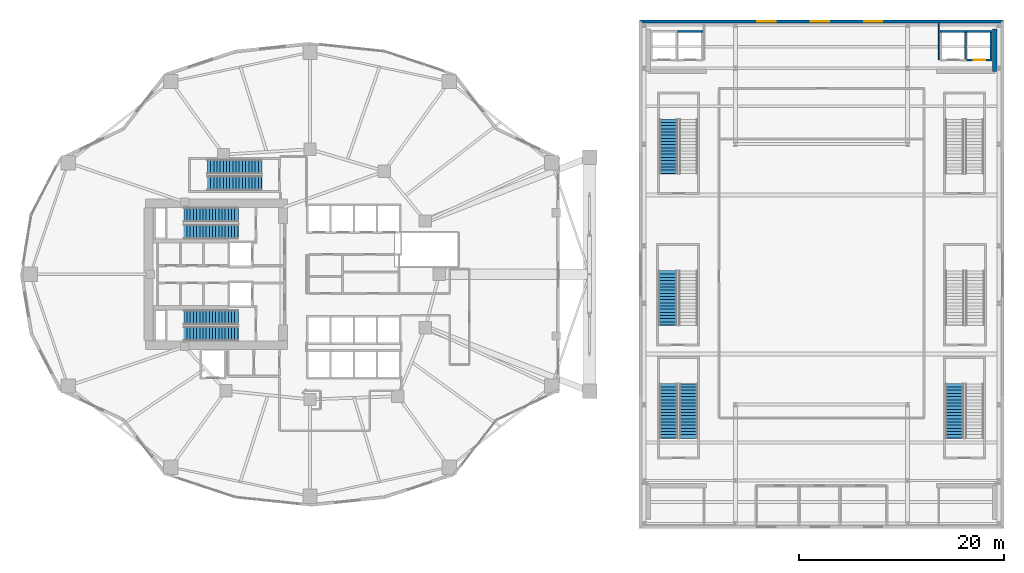
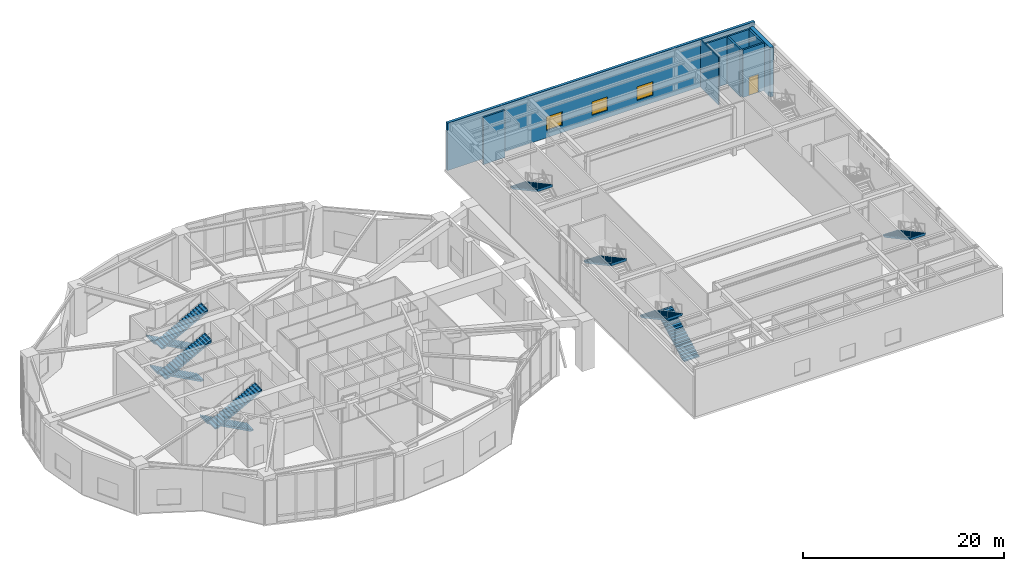
# One storey, part 20 of 25: 11 stair flights, 9 walls, 3 windows, 1 door, 4 openings, 7 elements without a shape of their own.
"""IFC4 building model written with IfcOpenShell, lengths in metres."""

import ifcopenshell
import ifcopenshell.guid

model = None  # the IFC model being written
_history = None  # IfcOwnerHistory: only IFC2X3 demands one
_inside = {}  # id of a spatial element -> (the spatial element, [elements in it])
_under = {}  # id of a project, library or spatial element -> (it, [spatial elements below it])
_declared = {}  # id of a project -> (the project, [libraries it declares])
_typed = {}  # id of a type object -> (the type object, [elements of that type])
_made_of = {}  # id of a material, layer set ... -> (it, [elements and type objects made of it])


def new_model(schema):
    """Start an empty IFC model of exactly this schema.

    Asked for "IFC4X3", IfcOpenShell would pick the latest addendum, in which some entities
    have other attributes; the version numbers below select the first issue.
    IFC2X3 requires an IfcOwnerHistory on every rooted entity: one is made here for all.
    """
    global model, _history
    if schema == "IFC4X3":
        model = ifcopenshell.file(schema_version=(4, 3, 0, 0))
    else:
        model = ifcopenshell.file(schema=schema)
    _inside.clear()
    _under.clear()
    _declared.clear()
    _typed.clear()
    _made_of.clear()
    _history = None
    if model.schema == "IFC2X3":
        org = make("IfcOrganization", Name="unknown")
        user = make(
            "IfcPersonAndOrganization",
            ThePerson=make("IfcPerson", FamilyName="unknown"),
            TheOrganization=org,
        )
        app = make(
            "IfcApplication",
            ApplicationDeveloper=org,
            Version="unknown",
            ApplicationFullName="unknown",
            ApplicationIdentifier="unknown",
        )
        _history = make(
            "IfcOwnerHistory",
            OwningUser=user,
            OwningApplication=app,
            ChangeAction="ADDED",
            CreationDate=0,
        )
    return model


def make(cls, **values):
    """One entity of the class cls with the attributes given. An attribute that is None is left unset."""
    return model.create_entity(
        cls, **{name: value for name, value in values.items() if value is not None}
    )


def rooted(cls, **values):
    """An entity with a GlobalId (a new one), such as an element, a storey or a relation."""
    return make(cls, GlobalId=ifcopenshell.guid.new(), OwnerHistory=_history, **values)


def si_unit(unit_type, name, prefix=None):
    """IfcSIUnit, for example si_unit("LENGTHUNIT", "METRE", prefix="MILLI")."""
    return make("IfcSIUnit", UnitType=unit_type, Prefix=prefix, Name=name)


def assignment(units):
    """IfcUnitAssignment: the units of a project."""
    return None if units is None else make("IfcUnitAssignment", Units=units)


def point(xyz):
    """IfcCartesianPoint."""
    return None if xyz is None else make("IfcCartesianPoint", Coordinates=xyz)


def direction(xyz):
    """IfcDirection."""
    return None if xyz is None else make("IfcDirection", DirectionRatios=xyz)


def frame(location, z_axis=None, x_axis=None):
    """IfcAxis2Placement3D, a coordinate frame: its origin and axes. An axis left out is left unset."""
    return make(
        "IfcAxis2Placement3D",
        Location=point(location),
        Axis=direction(z_axis),
        RefDirection=direction(x_axis),
    )


def frame_2d(location, x_axis=None):
    """IfcAxis2Placement2D, a coordinate frame in the plane: its origin and x axis."""
    return make(
        "IfcAxis2Placement2D", Location=point(location), RefDirection=direction(x_axis)
    )


def origin():
    """The frame at (0, 0, 0) with its axes left unset."""
    return frame((0.0, 0.0, 0.0))


def place(relative_to, where):
    """IfcLocalPlacement: puts the frame where relative to a parent placement (None: the world)."""
    return make(
        "IfcLocalPlacement", PlacementRelTo=relative_to, RelativePlacement=where
    )


def context(
    kind, dimensions, precision=None, world=None, true_north=None, identifier=None
):
    """IfcGeometricRepresentationContext, for example the 3D "Model" context."""
    return make(
        "IfcGeometricRepresentationContext",
        ContextIdentifier=identifier,
        ContextType=kind,
        CoordinateSpaceDimension=dimensions,
        Precision=precision,
        WorldCoordinateSystem=world,
        TrueNorth=true_north,
    )


def subcontext(parent, identifier, kind, view, scale=None):
    """IfcGeometricRepresentationSubContext, for example "Body" below "Model"."""
    return make(
        "IfcGeometricRepresentationSubContext",
        ContextIdentifier=identifier,
        ContextType=kind,
        ParentContext=parent,
        TargetScale=scale,
        TargetView=view,
    )


def project(units=None, contexts=None):
    """IfcProject with its units and contexts."""
    return rooted(
        "IfcProject",
        Name="project",
        RepresentationContexts=contexts,
        UnitsInContext=assignment(units),
    )


def spatial(cls, under=None, at=None, **own):
    """A site, building, storey or space (cls), placed at a placement, below another one or the project."""
    s = rooted(cls, ObjectPlacement=at, **own)
    if under is not None:
        _under.setdefault(under.id(), (under, []))[1].append(s)
    return s


def polyline(points):
    """IfcPolyline through the points."""
    return make("IfcPolyline", Points=[point(p) for p in points])


def profile(cls, at=None, kind="AREA", **sizes):
    """A parametric profile (cls). Its sizes go by their IFC names, for example OverallWidth=200.0."""
    return make(cls, ProfileType=kind, Position=at, **sizes)


def rectangle(**sizes):
    """IfcRectangleProfileDef."""
    return profile("IfcRectangleProfileDef", **sizes)


def outline(outer, holes=None, kind="AREA"):
    """IfcArbitraryClosedProfileDef: a profile drawn as a closed curve; with holes, ...WithVoids."""
    if holes is None:
        return make("IfcArbitraryClosedProfileDef", ProfileType=kind, OuterCurve=outer)
    return make(
        "IfcArbitraryProfileDefWithVoids",
        ProfileType=kind,
        OuterCurve=outer,
        InnerCurves=holes,
    )


def extrude(swept, where, along, depth):
    """IfcExtrudedAreaSolid: the profile swept, set in the frame where, extruded along a direction by depth."""
    return make(
        "IfcExtrudedAreaSolid",
        SweptArea=swept,
        Position=where,
        ExtrudedDirection=direction(along),
        Depth=depth,
    )


def shape(context_of_items, identifier, shape_type, items):
    """IfcShapeRepresentation: the items that make up one representation, for example the "Body"."""
    return make(
        "IfcShapeRepresentation",
        ContextOfItems=context_of_items,
        RepresentationIdentifier=identifier,
        RepresentationType=shape_type,
        Items=items,
    )


def material(Name=None, Category=None):
    """IfcMaterial."""
    return make("IfcMaterial", Name=Name, Category=Category)


def layer(
    of_material, thickness, ventilated=None, Name=None, Category=None, Priority=None
):
    """IfcMaterialLayer: one layer of a wall or slab, of a material (None: an air gap)."""
    return make(
        "IfcMaterialLayer",
        Material=of_material,
        LayerThickness=thickness,
        IsVentilated=ventilated,
        Name=Name,
        Category=Category,
        Priority=Priority,
    )


def layer_set(layers, Name=None):
    """IfcMaterialLayerSet."""
    return make("IfcMaterialLayerSet", MaterialLayers=layers, LayerSetName=Name)


def made_of(thing, what):
    """Note that an element or type object is made of a material, layer set ...; save() writes the relation."""
    if what is not None:
        _made_of.setdefault(what.id(), (what, []))[1].append(thing)
    return thing


def type_object(cls, material=None, **own):
    """A type object (cls), such as IfcWallType, which elements share."""
    return made_of(rooted(cls, **own), material)


def element(
    cls,
    number,
    at=None,
    inside=None,
    cuts=None,
    type_object=None,
    material=None,
    context=None,
    identifier="Body",
    shape_type=None,
    held_by="IfcProductDefinitionShape",
    body=None,
    shapes=None,
    **own,
):
    """One element of the class cls, such as IfcWall. Its Tag is "e" and its number.

    at: its placement. inside: the storey or other place that contains it. cuts: it is an
    opening in that element (IfcRelVoidsElement). A single representation is given by context,
    identifier, shape_type and body (its items); several are given by shapes. held_by: the class
    of the entity that holds the representations. save() writes the other relations.
    """
    e = rooted(cls, Tag="e%d" % number, ObjectPlacement=at, **own)
    if body is not None:
        shapes = [shape(context, identifier, shape_type, body)]
    if shapes is not None:
        e.Representation = make(held_by, Representations=shapes)
    if inside is not None:
        _inside.setdefault(inside.id(), (inside, []))[1].append(e)
    if cuts is not None:
        rooted(
            "IfcRelVoidsElement", RelatingBuildingElement=cuts, RelatedOpeningElement=e
        )
    if type_object is not None:
        _typed.setdefault(type_object.id(), (type_object, []))[1].append(e)
    return made_of(e, material)


def fill(opening, filler):
    """IfcRelFillsElement: the door or window that sits in an opening."""
    return rooted(
        "IfcRelFillsElement",
        RelatingOpeningElement=opening,
        RelatedBuildingElement=filler,
    )


def aggregate(whole, parts):
    """IfcRelAggregates: a whole, such as a stair, and the parts it consists of."""
    return rooted("IfcRelAggregates", RelatingObject=whole, RelatedObjects=parts)


def save(model, path):
    """Write the relations noted so far, then the file.

    IfcRelAggregates (storeys below a building ...), IfcRelContainedInSpatialStructure (elements
    in a storey), IfcRelDefinesByType, IfcRelAssociatesMaterial and IfcRelDeclares: one each for
    every whole, place, type object, material and project.
    """
    for whole, parts in _under.values():
        aggregate(whole, parts)
    for where, things in _inside.values():
        rooted(
            "IfcRelContainedInSpatialStructure",
            RelatedElements=things,
            RelatingStructure=where,
        )
    for kind, things in _typed.values():
        rooted("IfcRelDefinesByType", RelatedObjects=things, RelatingType=kind)
    for what, things in _made_of.values():
        rooted("IfcRelAssociatesMaterial", RelatedObjects=things, RelatingMaterial=what)
    for by, libraries in _declared.values():
        rooted("IfcRelDeclares", RelatingContext=by, RelatedDefinitions=libraries)
    model.write(path)


model = new_model("IFC4")

# Units and contexts
model_context = context("Model", 3, precision=1e-05, world=origin(), true_north=direction((0.0, 1.0)))
body_context = subcontext(model_context, "Body", "Model", "MODEL_VIEW")
ifc_project = project(units=[si_unit("LENGTHUNIT", "METRE"), si_unit("AREAUNIT", "SQUARE_METRE"), si_unit("VOLUMEUNIT", "CUBIC_METRE"), si_unit("PLANEANGLEUNIT", "RADIAN"), si_unit("MASSUNIT", "GRAM", prefix="KILO")], contexts=[model_context])

# Site, building, storey
site_placement = place(None, origin())
site = spatial("IfcSite", under=ifc_project, at=site_placement, CompositionType="ELEMENT")
building_placement = place(site_placement, origin())
building = spatial("IfcBuilding", under=site, at=building_placement, Name="Kolvaren Gate Tower and Convention Centre", CompositionType="ELEMENT")
storey_placement = place(building_placement, frame((0.0, 0.0, 15.0)))
storey = spatial("IfcBuildingStorey", under=building, at=storey_placement, Name="L03", CompositionType="ELEMENT", Elevation=15.0)

# Walls
ifc_material_1 = material(Name="Fire-Rated Acoustic Gypsum Stud Partition", Category="gypsum")
ifc_layer_1 = layer(ifc_material_1, 0.1201171875)
ifc_layer_set_1 = layer_set([ifc_layer_1], Name="Fire-Rated Acoustic Gypsum Stud Partition")
wall_type_1 = type_object("IfcWallType", Name="ARCH-WL-PART-120", PredefinedType="PARTITIONING", material=ifc_layer_set_1)
wall_1_placement = place(storey_placement, frame((91.449951171875, 47.89990234375, 0.0), z_axis=(0.0, 0.0, 1.0), x_axis=(0.0, 1.0, 0.0)))
element("IfcWall", 1, at=wall_1_placement, inside=storey, type_object=wall_type_1, Name="Interior Partition WL-L03-INT-050", PredefinedType="PARTITIONING", context=body_context, shape_type="SweptSolid", body=[
    extrude(rectangle(XDim=3.59814453125, YDim=0.1201171875, at=frame_2d((1.799072265625, 0.0))), origin(), (0.0, 0.0, 1.0), 5.760009765625),
])
ifc_material_2 = material(Name="Autoclaved Aerated Masonry Blockwork Class 4 (4.0 MPa)", Category="masonry")
ifc_layer_2 = layer(ifc_material_2, 0.199951171875)
ifc_layer_set_2 = layer_set([ifc_layer_2], Name="Autoclaved Aerated Masonry Blockwork Class 4 (4.0 MPa)")
wall_type_2 = type_object("IfcWallType", Name="ARCH-WL-SHAFT-200", PredefinedType="SOLIDWALL", material=ifc_layer_set_2)
wall_2_placement = place(storey_placement, frame((65.949951171875, 50.699951171875, 0.0), z_axis=(0.0, 0.0, 1.0), x_axis=(1.0, 0.0, 0.0)))
element("IfcWall", 2, at=wall_2_placement, inside=storey, type_object=wall_type_2, Name="Elevator CL-02 L03 Fire Shaft Wall N", PredefinedType="SOLIDWALL", context=body_context, shape_type="SweptSolid", body=[
    extrude(rectangle(XDim=2.5, YDim=0.199951171875, at=frame_2d((1.25, 0.0))), origin(), (0.0, 0.0, 1.0), 5.760009765625),
])
wall_3_placement = place(storey_placement, frame((91.550048828125, 50.699951171875, 0.0), z_axis=(0.0, 0.0, 1.0), x_axis=(1.0, 0.0, 0.0)))
element("IfcWall", 3, at=wall_3_placement, inside=storey, type_object=wall_type_2, Name="Elevator CL-03 L03 Fire Shaft Wall N", PredefinedType="SOLIDWALL", context=body_context, shape_type="SweptSolid", body=[
    extrude(rectangle(XDim=2.599853515625, YDim=0.199951171875, at=frame_2d((1.2998046875, 0.0))), origin(), (0.0, 0.0, 1.0), 5.760009765625),
])
wall_4_placement = place(storey_placement, frame((94.050048828125, 48.010009765625, 0.0), z_axis=(0.0, 0.0, 1.0), x_axis=(0.0, 1.0, 0.0)))
element("IfcWall", 4, at=wall_4_placement, inside=storey, type_object=wall_type_2, Name="Elevator CL-03 L03 Fire Shaft Wall E", PredefinedType="SOLIDWALL", context=body_context, shape_type="SweptSolid", body=[
    extrude(rectangle(XDim=2.580078125, YDim=0.199951171875, at=frame_2d((1.2900390625, 0.0))), origin(), (0.0, 0.0, 1.0), 5.760009765625),
])
wall_5_placement = place(storey_placement, frame((94.14990234375, 50.699951171875, 0.0), z_axis=(0.0, 0.0, 1.0), x_axis=(1.0, 0.0, 0.0)))
element("IfcWall", 5, at=wall_5_placement, inside=storey, type_object=wall_type_2, Name="Elevator CL-04 L03 Fire Shaft Wall N", PredefinedType="SOLIDWALL", context=body_context, shape_type="SweptSolid", body=[
    extrude(rectangle(XDim=2.5, YDim=0.199951171875, at=frame_2d((1.25, 0.0))), origin(), (0.0, 0.0, 1.0), 5.760009765625),
])

# Wall, opening, door
wall_6_placement = place(storey_placement, frame((94.14990234375, 47.89990234375, 0.0), z_axis=(0.0, 0.0, 1.0), x_axis=(1.0, 0.0, 0.0)))
wall_6 = element("IfcWall", 6, at=wall_6_placement, inside=storey, type_object=wall_type_2, Name="Elevator CL-04 L03 Fire Shaft Wall S", PredefinedType="SOLIDWALL", context=body_context, shape_type="SweptSolid", body=[
    extrude(rectangle(XDim=2.5, YDim=0.199951171875, at=frame_2d((1.25, 0.0))), origin(), (0.0, 0.0, 1.0), 5.760009765625),
])
opening_1_placement = place(wall_6_placement, frame((0.699951171875, 0.0, 0.0)))
opening_1 = element("IfcOpeningElement", 7, at=opening_1_placement, cuts=wall_6, Name="Opening LD", PredefinedType="OPENING", context=body_context, shape_type="SweptSolid", body=[
    extrude(rectangle(XDim=1.10009765625, YDim=2.199951171875, at=frame_2d((0.550048828125, 1.10009765625))), frame((0.0, 0.10986328125, 0.0), z_axis=(0.0, -1.0, 0.0), x_axis=(1.0, 0.0, 0.0)), (0.0, 0.0, 1.0), 0.219970703125),
])
ifc_material_3 = material(Name="Brushed Stainless Steel Grade 316L", Category="steel")
door_type = type_object("IfcDoorType", Name="ARCH-DR-LIFT-1100", OperationType="SLIDING_TO_LEFT", PredefinedType="DOOR", material=ifc_material_3)
door_placement = place(opening_1_placement, origin())
door = element("IfcDoor", 8, at=door_placement, inside=storey, type_object=door_type, Name="Elevator CL-04 L03 Sliding Landing Door", OperationType="SLIDING_TO_LEFT", OverallHeight=2.199951171875, OverallWidth=1.10009765625, PredefinedType="DOOR", context=body_context, shape_type="SweptSolid", body=[
    extrude(rectangle(XDim=1.10009765625, YDim=2.199951171875, at=frame_2d((0.550048828125, 1.10009765625))), frame((0.0, 0.02490234375, 0.0), z_axis=(0.0, -1.0, 0.0), x_axis=(1.0, 0.0, 0.0)), (0.0, 0.0, 1.0), 0.050048828125),
])
fill(opening_1, door)

# Wall
wall_7_placement = place(storey_placement, frame((96.550048828125, 48.010009765625, 0.0), z_axis=(0.0, 0.0, 1.0), x_axis=(0.0, 1.0, 0.0)))
element("IfcWall", 9, at=wall_7_placement, inside=storey, type_object=wall_type_2, Name="Elevator CL-04 L03 Fire Shaft Wall E", PredefinedType="SOLIDWALL", context=body_context, shape_type="SweptSolid", body=[
    extrude(rectangle(XDim=2.580078125, YDim=0.199951171875, at=frame_2d((1.2900390625, 0.0))), origin(), (0.0, 0.0, 1.0), 5.760009765625),
])

# Wall, openings, windows
ifc_material_4 = material(Name="Piedmont Cream Honed Limestone Cladding", Category="masonry")
ifc_layer_3 = layer(ifc_material_4, 0.300048828125)
ifc_layer_set_3 = layer_set([ifc_layer_3], Name="Piedmont Cream Honed Limestone Cladding")
wall_type_3 = type_object("IfcWallType", Name="ARCH-WL-STONE-300", PredefinedType="SOLIDWALL", material=ifc_layer_set_3)
wall_8_placement = place(storey_placement, frame((62.35009765625, 51.64990234375, 0.0), z_axis=(0.0, 0.0, 1.0), x_axis=(1.0, 0.0, 0.0)))
wall_8 = element("IfcWall", 10, at=wall_8_placement, inside=storey, type_object=wall_type_3, Name="Convention Centre L03 N Stone Facade Wall", PredefinedType="SOLIDWALL", context=body_context, shape_type="SweptSolid", body=[
    extrude(rectangle(XDim=35.2998046875, YDim=0.300048828125, at=frame_2d((17.64990234375, 0.0))), origin(), (0.0, 0.0, 1.0), 5.760009765625),
])
opening_2_placement = place(wall_8_placement, frame((11.39990234375, 0.0, 0.89990234375)))
opening_2 = element("IfcOpeningElement", 11, at=opening_2_placement, cuts=wall_8, Name="Opening W-05", PredefinedType="OPENING", context=body_context, shape_type="SweptSolid", body=[
    extrude(rectangle(XDim=1.800048828125, YDim=1.64990234375, at=frame_2d((0.89990234375, 0.824951171875))), frame((0.0, 0.159912109375, 0.0), z_axis=(0.0, -1.0, 0.0), x_axis=(1.0, 0.0, 0.0)), (0.0, 0.0, 1.0), 0.320068359375),
])
opening_3_placement = place(wall_8_placement, frame((16.60009765625, 0.0, 0.89990234375)))
opening_3 = element("IfcOpeningElement", 12, at=opening_3_placement, cuts=wall_8, Name="Opening W-05", PredefinedType="OPENING", context=body_context, shape_type="SweptSolid", body=[
    extrude(rectangle(XDim=1.800048828125, YDim=1.64990234375, at=frame_2d((0.89990234375, 0.824951171875))), frame((0.0, 0.159912109375, 0.0), z_axis=(0.0, -1.0, 0.0), x_axis=(1.0, 0.0, 0.0)), (0.0, 0.0, 1.0), 0.320068359375),
])
opening_4_placement = place(wall_8_placement, frame((21.800048828125, 0.0, 0.89990234375)))
opening_4 = element("IfcOpeningElement", 13, at=opening_4_placement, cuts=wall_8, Name="Opening W-05", PredefinedType="OPENING", context=body_context, shape_type="SweptSolid", body=[
    extrude(rectangle(XDim=1.800048828125, YDim=1.64990234375, at=frame_2d((0.89990234375, 0.824951171875))), frame((0.0, 0.159912109375, 0.0), z_axis=(0.0, -1.0, 0.0), x_axis=(1.0, 0.0, 0.0)), (0.0, 0.0, 1.0), 0.320068359375),
])
ifc_material_5 = material(Name="Low-E Triple Insulated Glazing Unit 44 mm", Category="glass")
window_type = type_object("IfcWindowType", Name="ARCH-WN-CONV-1800", PartitioningType="SINGLE_PANEL", PredefinedType="WINDOW", material=ifc_material_5)
window_1_placement = place(opening_2_placement, origin())
window_1 = element("IfcWindow", 14, at=window_1_placement, inside=storey, type_object=window_type, Name="Convention L03 N Clerestory Window CW-1", OverallHeight=1.64990234375, OverallWidth=1.800048828125, PartitioningType="SINGLE_PANEL", PredefinedType="WINDOW", context=body_context, shape_type="SweptSolid", body=[
    extrude(rectangle(XDim=1.800048828125, YDim=1.64990234375, at=frame_2d((0.89990234375, 0.824951171875))), frame((0.0, 0.030029296875, 0.0), z_axis=(0.0, -1.0, 0.0), x_axis=(1.0, 0.0, 0.0)), (0.0, 0.0, 1.0), 0.06005859375),
])
fill(opening_2, window_1)
window_2_placement = place(opening_3_placement, origin())
window_2 = element("IfcWindow", 15, at=window_2_placement, inside=storey, type_object=window_type, Name="Convention L03 N Clerestory Window CW-2", OverallHeight=1.64990234375, OverallWidth=1.800048828125, PartitioningType="SINGLE_PANEL", PredefinedType="WINDOW", context=body_context, shape_type="SweptSolid", body=[
    extrude(rectangle(XDim=1.800048828125, YDim=1.64990234375, at=frame_2d((0.89990234375, 0.824951171875))), frame((0.0, 0.030029296875, 0.0), z_axis=(0.0, -1.0, 0.0), x_axis=(1.0, 0.0, 0.0)), (0.0, 0.0, 1.0), 0.06005859375),
])
fill(opening_3, window_2)
window_3_placement = place(opening_4_placement, origin())
window_3 = element("IfcWindow", 16, at=window_3_placement, inside=storey, type_object=window_type, Name="Convention L03 N Clerestory Window CW-3", OverallHeight=1.64990234375, OverallWidth=1.800048828125, PartitioningType="SINGLE_PANEL", PredefinedType="WINDOW", context=body_context, shape_type="SweptSolid", body=[
    extrude(rectangle(XDim=1.800048828125, YDim=1.64990234375, at=frame_2d((0.89990234375, 0.824951171875))), frame((0.0, 0.030029296875, 0.0), z_axis=(0.0, -1.0, 0.0), x_axis=(1.0, 0.0, 0.0)), (0.0, 0.0, 1.0), 0.06005859375),
])
fill(opening_4, window_3)

# Wall
ifc_material_6 = material(Name="Concrete C50/60", Category="concrete")
ifc_layer_4 = layer(ifc_material_6, 0.419921875)
ifc_layer_set_4 = layer_set([ifc_layer_4], Name="Concrete C50/60")
wall_type_4 = type_object("IfcWallType", Name="STR-WL-CONV-420", PredefinedType="SHEAR", material=ifc_layer_set_4)
wall_9_placement = place(storey_placement, frame((96.89990234375, 46.800048828125, -0.239990234375), z_axis=(0.0, 0.0, 1.0), x_axis=(0.0, 1.0, 0.0)))
element("IfcWall", 17, at=wall_9_placement, inside=storey, type_object=wall_type_4, Name="Convention L03 Shear Core Wall CCNE-E", PredefinedType="SHEAR", context=body_context, shape_type="SweptSolid", body=[
    extrude(rectangle(XDim=4.099853515625, YDim=0.419921875, at=frame_2d((2.0498046875, 0.0))), origin(), (0.0, 0.0, 1.0), 6.0),
])

# Stair, stair flights
stair_type_1 = type_object("IfcStairType", Name="STR-STAIR-CORE", PredefinedType="HALF_TURN_STAIR", material=ifc_material_6)
stair_1_placement = place(storey_placement, origin())
stair_1 = element("IfcStair", 18, at=stair_1_placement, inside=storey, type_object=stair_type_1, Name="L03 Tower North Exit Stair ST-T1", PredefinedType="HALF_TURN_STAIR")
stair_flight_type_1 = type_object("IfcStairFlightType", Name="STR-SFL-1420", PredefinedType="STRAIGHT", material=ifc_material_6)
stair_flight_1_placement = place(storey_placement, frame((23.10009765625, 32.7900390625, 0.0), z_axis=(0.0, 0.0, 1.0), x_axis=(-1.0, 0.0, 0.0)))
stair_flight_1 = element("IfcStairFlight", 19, at=stair_flight_1_placement, type_object=stair_flight_type_1, Name="ST-T1 flight 1", NumberOfRisers=18, NumberOfTreads=17, PredefinedType="STRAIGHT", RiserHeight=0.166666667, TreadLength=0.31, context=body_context, shape_type="SweptSolid", body=[
    extrude(outline(polyline([(-0.034912109375, 0.0), (-0.034912109375, 0.166748046875), (0.31005859375, 0.166748046875), (0.31005859375, 0.333251953125), (0.6201171875, 0.333251953125), (0.6201171875, 0.5), (0.929931640625, 0.5), (0.929931640625, 0.666748046875), (1.239990234375, 0.666748046875), (1.239990234375, 0.833251953125), (1.550048828125, 0.833251953125), (1.550048828125, 1.0), (1.860107421875, 1.0), (1.860107421875, 1.166748046875), (2.169921875, 1.166748046875), (2.169921875, 1.333251953125), (2.47998046875, 1.333251953125), (2.47998046875, 1.5), (2.7900390625, 1.5), (2.7900390625, 1.666748046875), (3.10009765625, 1.666748046875), (3.10009765625, 1.833251953125), (3.409912109375, 1.833251953125), (3.409912109375, 2.0), (3.719970703125, 2.0), (3.719970703125, 2.166748046875), (4.030029296875, 2.166748046875), (4.030029296875, 2.333251953125), (4.340087890625, 2.333251953125), (4.340087890625, 2.5), (4.64990234375, 2.5), (4.64990234375, 2.666748046875), (4.9599609375, 2.666748046875), (4.9599609375, 2.833251953125), (5.27001953125, 2.833251953125), (5.27001953125, 3.0), (5.31494140625, 3.0), (5.31494140625, 2.840087890625), (5.27001953125, 2.6630859375), (0.316650390625, 0.0), (-0.034912109375, 0.0)])), frame((0.0, 0.7099609375, 0.0), z_axis=(0.0, -1.0, 0.0), x_axis=(1.0, 0.0, 0.0)), (0.0, 0.0, 1.0), 1.419921875),
])
stair_flight_2_placement = place(storey_placement, frame((17.830078125, 31.169921875, 3.0), z_axis=(0.0, 0.0, 1.0), x_axis=(1.0, 0.0, 0.0)))
stair_flight_2 = element("IfcStairFlight", 20, at=stair_flight_2_placement, type_object=stair_flight_type_1, Name="ST-T1 flight 2", NumberOfRisers=18, NumberOfTreads=17, PredefinedType="STRAIGHT", RiserHeight=0.166666667, TreadLength=0.31, context=body_context, shape_type="SweptSolid", body=[
    extrude(outline(polyline([(-0.034912109375, 0.0), (-0.034912109375, 0.166748046875), (0.31005859375, 0.166748046875), (0.31005859375, 0.333251953125), (0.6201171875, 0.333251953125), (0.6201171875, 0.5), (0.929931640625, 0.5), (0.929931640625, 0.666748046875), (1.239990234375, 0.666748046875), (1.239990234375, 0.833251953125), (1.550048828125, 0.833251953125), (1.550048828125, 1.0), (1.860107421875, 1.0), (1.860107421875, 1.166748046875), (2.169921875, 1.166748046875), (2.169921875, 1.333251953125), (2.47998046875, 1.333251953125), (2.47998046875, 1.5), (2.7900390625, 1.5), (2.7900390625, 1.666748046875), (3.10009765625, 1.666748046875), (3.10009765625, 1.833251953125), (3.409912109375, 1.833251953125), (3.409912109375, 2.0), (3.719970703125, 2.0), (3.719970703125, 2.166748046875), (4.030029296875, 2.166748046875), (4.030029296875, 2.333251953125), (4.340087890625, 2.333251953125), (4.340087890625, 2.5), (4.64990234375, 2.5), (4.64990234375, 2.666748046875), (4.9599609375, 2.666748046875), (4.9599609375, 2.833251953125), (5.27001953125, 2.833251953125), (5.27001953125, 3.0), (5.31494140625, 3.0), (5.31494140625, 2.840087890625), (5.27001953125, 2.6630859375), (0.316650390625, 0.0), (-0.034912109375, 0.0)])), frame((0.0, 0.7099609375, 0.0), z_axis=(0.0, -1.0, 0.0), x_axis=(1.0, 0.0, 0.0)), (0.0, 0.0, 1.0), 1.419921875),
])
aggregate(stair_1, [stair_flight_1, stair_flight_2])

stair_2_placement = place(storey_placement, origin())
stair_2 = element("IfcStair", 21, at=stair_2_placement, inside=storey, type_object=stair_type_1, Name="L03 Tower South Exit Stair ST-T2", PredefinedType="HALF_TURN_STAIR")
stair_flight_3_placement = place(storey_placement, frame((23.10009765625, 22.830078125, 0.0), z_axis=(0.0, 0.0, 1.0), x_axis=(-1.0, 0.0, 0.0)))
stair_flight_3 = element("IfcStairFlight", 22, at=stair_flight_3_placement, type_object=stair_flight_type_1, Name="ST-T2 flight 1", NumberOfRisers=18, NumberOfTreads=17, PredefinedType="STRAIGHT", RiserHeight=0.166666667, TreadLength=0.31, context=body_context, shape_type="SweptSolid", body=[
    extrude(outline(polyline([(-0.034912109375, 0.0), (-0.034912109375, 0.166748046875), (0.31005859375, 0.166748046875), (0.31005859375, 0.333251953125), (0.6201171875, 0.333251953125), (0.6201171875, 0.5), (0.929931640625, 0.5), (0.929931640625, 0.666748046875), (1.239990234375, 0.666748046875), (1.239990234375, 0.833251953125), (1.550048828125, 0.833251953125), (1.550048828125, 1.0), (1.860107421875, 1.0), (1.860107421875, 1.166748046875), (2.169921875, 1.166748046875), (2.169921875, 1.333251953125), (2.47998046875, 1.333251953125), (2.47998046875, 1.5), (2.7900390625, 1.5), (2.7900390625, 1.666748046875), (3.10009765625, 1.666748046875), (3.10009765625, 1.833251953125), (3.409912109375, 1.833251953125), (3.409912109375, 2.0), (3.719970703125, 2.0), (3.719970703125, 2.166748046875), (4.030029296875, 2.166748046875), (4.030029296875, 2.333251953125), (4.340087890625, 2.333251953125), (4.340087890625, 2.5), (4.64990234375, 2.5), (4.64990234375, 2.666748046875), (4.9599609375, 2.666748046875), (4.9599609375, 2.833251953125), (5.27001953125, 2.833251953125), (5.27001953125, 3.0), (5.31494140625, 3.0), (5.31494140625, 2.840087890625), (5.27001953125, 2.6630859375), (0.316650390625, 0.0), (-0.034912109375, 0.0)])), frame((0.0, 0.7099609375, 0.0), z_axis=(0.0, -1.0, 0.0), x_axis=(1.0, 0.0, 0.0)), (0.0, 0.0, 1.0), 1.419921875),
])
stair_flight_4_placement = place(storey_placement, frame((17.830078125, 21.2099609375, 3.0), z_axis=(0.0, 0.0, 1.0), x_axis=(1.0, 0.0, 0.0)))
stair_flight_4 = element("IfcStairFlight", 23, at=stair_flight_4_placement, type_object=stair_flight_type_1, Name="ST-T2 flight 2", NumberOfRisers=18, NumberOfTreads=17, PredefinedType="STRAIGHT", RiserHeight=0.166666667, TreadLength=0.31, context=body_context, shape_type="SweptSolid", body=[
    extrude(outline(polyline([(-0.034912109375, 0.0), (-0.034912109375, 0.166748046875), (0.31005859375, 0.166748046875), (0.31005859375, 0.333251953125), (0.6201171875, 0.333251953125), (0.6201171875, 0.5), (0.929931640625, 0.5), (0.929931640625, 0.666748046875), (1.239990234375, 0.666748046875), (1.239990234375, 0.833251953125), (1.550048828125, 0.833251953125), (1.550048828125, 1.0), (1.860107421875, 1.0), (1.860107421875, 1.166748046875), (2.169921875, 1.166748046875), (2.169921875, 1.333251953125), (2.47998046875, 1.333251953125), (2.47998046875, 1.5), (2.7900390625, 1.5), (2.7900390625, 1.666748046875), (3.10009765625, 1.666748046875), (3.10009765625, 1.833251953125), (3.409912109375, 1.833251953125), (3.409912109375, 2.0), (3.719970703125, 2.0), (3.719970703125, 2.166748046875), (4.030029296875, 2.166748046875), (4.030029296875, 2.333251953125), (4.340087890625, 2.333251953125), (4.340087890625, 2.5), (4.64990234375, 2.5), (4.64990234375, 2.666748046875), (4.9599609375, 2.666748046875), (4.9599609375, 2.833251953125), (5.27001953125, 2.833251953125), (5.27001953125, 3.0), (5.31494140625, 3.0), (5.31494140625, 2.840087890625), (5.27001953125, 2.6630859375), (0.316650390625, 0.0), (-0.034912109375, 0.0)])), frame((0.0, 0.7099609375, 0.0), z_axis=(0.0, -1.0, 0.0), x_axis=(1.0, 0.0, 0.0)), (0.0, 0.0, 1.0), 1.419921875),
])
aggregate(stair_2, [stair_flight_3, stair_flight_4])

stair_3_placement = place(storey_placement, origin())
stair_3 = element("IfcStair", 24, at=stair_3_placement, inside=storey, type_object=stair_type_1, Name="L03 Tower Mid-Zone Exit Stair ST-T3", PredefinedType="HALF_TURN_STAIR")
stair_flight_5_placement = place(storey_placement, frame((25.39990234375, 37.489990234375, 0.0), z_axis=(0.0, 0.0, 1.0), x_axis=(-1.0, 0.0, 0.0)))
stair_flight_5 = element("IfcStairFlight", 25, at=stair_flight_5_placement, type_object=stair_flight_type_1, Name="ST-T3 flight 1", NumberOfRisers=18, NumberOfTreads=17, PredefinedType="STRAIGHT", RiserHeight=0.166666667, TreadLength=0.31, context=body_context, shape_type="SweptSolid", body=[
    extrude(outline(polyline([(-0.034912109375, 0.0), (-0.034912109375, 0.166748046875), (0.31005859375, 0.166748046875), (0.31005859375, 0.333251953125), (0.6201171875, 0.333251953125), (0.6201171875, 0.5), (0.929931640625, 0.5), (0.929931640625, 0.666748046875), (1.239990234375, 0.666748046875), (1.239990234375, 0.833251953125), (1.550048828125, 0.833251953125), (1.550048828125, 1.0), (1.860107421875, 1.0), (1.860107421875, 1.166748046875), (2.169921875, 1.166748046875), (2.169921875, 1.333251953125), (2.47998046875, 1.333251953125), (2.47998046875, 1.5), (2.7900390625, 1.5), (2.7900390625, 1.666748046875), (3.10009765625, 1.666748046875), (3.10009765625, 1.833251953125), (3.409912109375, 1.833251953125), (3.409912109375, 2.0), (3.719970703125, 2.0), (3.719970703125, 2.166748046875), (4.030029296875, 2.166748046875), (4.030029296875, 2.333251953125), (4.340087890625, 2.333251953125), (4.340087890625, 2.5), (4.64990234375, 2.5), (4.64990234375, 2.666748046875), (4.9599609375, 2.666748046875), (4.9599609375, 2.833251953125), (5.27001953125, 2.833251953125), (5.27001953125, 3.0), (5.31494140625, 3.0), (5.31494140625, 2.840087890625), (5.27001953125, 2.6630859375), (0.316650390625, 0.0), (-0.034912109375, 0.0)])), frame((0.0, 0.7099609375, 0.0), z_axis=(0.0, -1.0, 0.0), x_axis=(1.0, 0.0, 0.0)), (0.0, 0.0, 1.0), 1.419921875),
])
stair_flight_6_placement = place(storey_placement, frame((20.1298828125, 35.8701171875, 3.0), z_axis=(0.0, 0.0, 1.0), x_axis=(1.0, 0.0, 0.0)))
stair_flight_6 = element("IfcStairFlight", 26, at=stair_flight_6_placement, type_object=stair_flight_type_1, Name="ST-T3 flight 2", NumberOfRisers=18, NumberOfTreads=17, PredefinedType="STRAIGHT", RiserHeight=0.166666667, TreadLength=0.31, context=body_context, shape_type="SweptSolid", body=[
    extrude(outline(polyline([(-0.034912109375, 0.0), (-0.034912109375, 0.166748046875), (0.31005859375, 0.166748046875), (0.31005859375, 0.333251953125), (0.6201171875, 0.333251953125), (0.6201171875, 0.5), (0.929931640625, 0.5), (0.929931640625, 0.666748046875), (1.239990234375, 0.666748046875), (1.239990234375, 0.833251953125), (1.550048828125, 0.833251953125), (1.550048828125, 1.0), (1.860107421875, 1.0), (1.860107421875, 1.166748046875), (2.169921875, 1.166748046875), (2.169921875, 1.333251953125), (2.47998046875, 1.333251953125), (2.47998046875, 1.5), (2.7900390625, 1.5), (2.7900390625, 1.666748046875), (3.10009765625, 1.666748046875), (3.10009765625, 1.833251953125), (3.409912109375, 1.833251953125), (3.409912109375, 2.0), (3.719970703125, 2.0), (3.719970703125, 2.166748046875), (4.030029296875, 2.166748046875), (4.030029296875, 2.333251953125), (4.340087890625, 2.333251953125), (4.340087890625, 2.5), (4.64990234375, 2.5), (4.64990234375, 2.666748046875), (4.9599609375, 2.666748046875), (4.9599609375, 2.833251953125), (5.27001953125, 2.833251953125), (5.27001953125, 3.0), (5.31494140625, 3.0), (5.31494140625, 2.840087890625), (5.27001953125, 2.6630859375), (0.316650390625, 0.0), (-0.034912109375, 0.0)])), frame((0.0, 0.7099609375, 0.0), z_axis=(0.0, -1.0, 0.0), x_axis=(1.0, 0.0, 0.0)), (0.0, 0.0, 1.0), 1.419921875),
])
aggregate(stair_3, [stair_flight_5, stair_flight_6])

# Stair, stair flight
stair_type_2 = type_object("IfcStairType", Name="STR-STAIR-CONV", PredefinedType="HALF_TURN_STAIR", material=ifc_material_6)
stair_4_placement = place(storey_placement, origin())
stair_4 = element("IfcStair", 27, at=stair_4_placement, inside=storey, type_object=stair_type_2, Name="L03 Convention NW Exit Stair ST-C1", PredefinedType="HALF_TURN_STAIR")
stair_flight_type_2 = type_object("IfcStairFlightType", Name="STR-SFL-1750", PredefinedType="STRAIGHT", material=ifc_material_6)
stair_flight_7_placement = place(storey_placement, frame((65.074951171875, 42.1201171875, 3.0), z_axis=(0.0, 0.0, 1.0), x_axis=(0.0, -1.0, 0.0)))
stair_flight_7 = element("IfcStairFlight", 28, at=stair_flight_7_placement, type_object=stair_flight_type_2, Name="ST-C1 flight 2", NumberOfRisers=18, NumberOfTreads=17, PredefinedType="STRAIGHT", RiserHeight=0.166666667, TreadLength=0.31, context=body_context, shape_type="SweptSolid", body=[
    extrude(outline(polyline([(-0.034912109375, 0.0), (-0.034912109375, 0.166748046875), (0.31005859375, 0.166748046875), (0.31005859375, 0.333251953125), (0.6201171875, 0.333251953125), (0.6201171875, 0.5), (0.929931640625, 0.5), (0.929931640625, 0.666748046875), (1.239990234375, 0.666748046875), (1.239990234375, 0.833251953125), (1.550048828125, 0.833251953125), (1.550048828125, 1.0), (1.860107421875, 1.0), (1.860107421875, 1.166748046875), (2.169921875, 1.166748046875), (2.169921875, 1.333251953125), (2.47998046875, 1.333251953125), (2.47998046875, 1.5), (2.7900390625, 1.5), (2.7900390625, 1.666748046875), (3.10009765625, 1.666748046875), (3.10009765625, 1.833251953125), (3.409912109375, 1.833251953125), (3.409912109375, 2.0), (3.719970703125, 2.0), (3.719970703125, 2.166748046875), (4.030029296875, 2.166748046875), (4.030029296875, 2.333251953125), (4.340087890625, 2.333251953125), (4.340087890625, 2.5), (4.64990234375, 2.5), (4.64990234375, 2.666748046875), (4.9599609375, 2.666748046875), (4.9599609375, 2.833251953125), (5.27001953125, 2.833251953125), (5.27001953125, 3.0), (5.31494140625, 3.0), (5.31494140625, 2.840087890625), (5.27001953125, 2.6630859375), (0.316650390625, 0.0), (-0.034912109375, 0.0)])), frame((0.0, 0.875, 0.0), z_axis=(0.0, -1.0, 0.0), x_axis=(1.0, 0.0, 0.0)), (0.0, 0.0, 1.0), 1.75),
])
aggregate(stair_4, [stair_flight_7])

# Stair, stair flights
stair_5_placement = place(storey_placement, origin())
stair_5 = element("IfcStair", 29, at=stair_5_placement, inside=storey, type_object=stair_type_2, Name="L03 Convention SW Exit Stair ST-C2", PredefinedType="HALF_TURN_STAIR")
stair_flight_8_placement = place(storey_placement, frame((67.02490234375, 11.050048828125, 0.0), z_axis=(0.0, 0.0, 1.0), x_axis=(0.0, 1.0, 0.0)))
stair_flight_8 = element("IfcStairFlight", 30, at=stair_flight_8_placement, type_object=stair_flight_type_2, Name="ST-C2 flight 1", NumberOfRisers=18, NumberOfTreads=17, PredefinedType="STRAIGHT", RiserHeight=0.166666667, TreadLength=0.31, context=body_context, shape_type="SweptSolid", body=[
    extrude(outline(polyline([(-0.034912109375, 0.0), (-0.034912109375, 0.166748046875), (0.31005859375, 0.166748046875), (0.31005859375, 0.333251953125), (0.6201171875, 0.333251953125), (0.6201171875, 0.5), (0.929931640625, 0.5), (0.929931640625, 0.666748046875), (1.239990234375, 0.666748046875), (1.239990234375, 0.833251953125), (1.550048828125, 0.833251953125), (1.550048828125, 1.0), (1.860107421875, 1.0), (1.860107421875, 1.166748046875), (2.169921875, 1.166748046875), (2.169921875, 1.333251953125), (2.47998046875, 1.333251953125), (2.47998046875, 1.5), (2.7900390625, 1.5), (2.7900390625, 1.666748046875), (3.10009765625, 1.666748046875), (3.10009765625, 1.833251953125), (3.409912109375, 1.833251953125), (3.409912109375, 2.0), (3.719970703125, 2.0), (3.719970703125, 2.166748046875), (4.030029296875, 2.166748046875), (4.030029296875, 2.333251953125), (4.340087890625, 2.333251953125), (4.340087890625, 2.5), (4.64990234375, 2.5), (4.64990234375, 2.666748046875), (4.9599609375, 2.666748046875), (4.9599609375, 2.833251953125), (5.27001953125, 2.833251953125), (5.27001953125, 3.0), (5.31494140625, 3.0), (5.31494140625, 2.840087890625), (5.27001953125, 2.6630859375), (0.316650390625, 0.0), (-0.034912109375, 0.0)])), frame((0.0, 0.875, 0.0), z_axis=(0.0, -1.0, 0.0), x_axis=(1.0, 0.0, 0.0)), (0.0, 0.0, 1.0), 1.75),
])
stair_flight_9_placement = place(storey_placement, frame((65.074951171875, 16.320068359375, 3.0), z_axis=(0.0, 0.0, 1.0), x_axis=(0.0, -1.0, 0.0)))
stair_flight_9 = element("IfcStairFlight", 31, at=stair_flight_9_placement, type_object=stair_flight_type_2, Name="ST-C2 flight 2", NumberOfRisers=18, NumberOfTreads=17, PredefinedType="STRAIGHT", RiserHeight=0.166666667, TreadLength=0.31, context=body_context, shape_type="SweptSolid", body=[
    extrude(outline(polyline([(-0.034912109375, 0.0), (-0.034912109375, 0.166748046875), (0.31005859375, 0.166748046875), (0.31005859375, 0.333251953125), (0.6201171875, 0.333251953125), (0.6201171875, 0.5), (0.929931640625, 0.5), (0.929931640625, 0.666748046875), (1.239990234375, 0.666748046875), (1.239990234375, 0.833251953125), (1.550048828125, 0.833251953125), (1.550048828125, 1.0), (1.860107421875, 1.0), (1.860107421875, 1.166748046875), (2.169921875, 1.166748046875), (2.169921875, 1.333251953125), (2.47998046875, 1.333251953125), (2.47998046875, 1.5), (2.7900390625, 1.5), (2.7900390625, 1.666748046875), (3.10009765625, 1.666748046875), (3.10009765625, 1.833251953125), (3.409912109375, 1.833251953125), (3.409912109375, 2.0), (3.719970703125, 2.0), (3.719970703125, 2.166748046875), (4.030029296875, 2.166748046875), (4.030029296875, 2.333251953125), (4.340087890625, 2.333251953125), (4.340087890625, 2.5), (4.64990234375, 2.5), (4.64990234375, 2.666748046875), (4.9599609375, 2.666748046875), (4.9599609375, 2.833251953125), (5.27001953125, 2.833251953125), (5.27001953125, 3.0), (5.31494140625, 3.0), (5.31494140625, 2.840087890625), (5.27001953125, 2.6630859375), (0.316650390625, 0.0), (-0.034912109375, 0.0)])), frame((0.0, 0.875, 0.0), z_axis=(0.0, -1.0, 0.0), x_axis=(1.0, 0.0, 0.0)), (0.0, 0.0, 1.0), 1.75),
])
aggregate(stair_5, [stair_flight_8, stair_flight_9])

# Stair, stair flight
stair_6_placement = place(storey_placement, origin())
stair_6 = element("IfcStair", 32, at=stair_6_placement, inside=storey, type_object=stair_type_2, Name="L03 Convention SE Exit Stair ST-C4", PredefinedType="HALF_TURN_STAIR")
stair_flight_10_placement = place(storey_placement, frame((92.97509765625, 16.320068359375, 3.0), z_axis=(0.0, 0.0, 1.0), x_axis=(0.0, -1.0, 0.0)))
stair_flight_10 = element("IfcStairFlight", 33, at=stair_flight_10_placement, type_object=stair_flight_type_2, Name="ST-C4 flight 2", NumberOfRisers=18, NumberOfTreads=17, PredefinedType="STRAIGHT", RiserHeight=0.166666667, TreadLength=0.31, context=body_context, shape_type="SweptSolid", body=[
    extrude(outline(polyline([(-0.034912109375, 0.0), (-0.034912109375, 0.166748046875), (0.31005859375, 0.166748046875), (0.31005859375, 0.333251953125), (0.6201171875, 0.333251953125), (0.6201171875, 0.5), (0.929931640625, 0.5), (0.929931640625, 0.666748046875), (1.239990234375, 0.666748046875), (1.239990234375, 0.833251953125), (1.550048828125, 0.833251953125), (1.550048828125, 1.0), (1.860107421875, 1.0), (1.860107421875, 1.166748046875), (2.169921875, 1.166748046875), (2.169921875, 1.333251953125), (2.47998046875, 1.333251953125), (2.47998046875, 1.5), (2.7900390625, 1.5), (2.7900390625, 1.666748046875), (3.10009765625, 1.666748046875), (3.10009765625, 1.833251953125), (3.409912109375, 1.833251953125), (3.409912109375, 2.0), (3.719970703125, 2.0), (3.719970703125, 2.166748046875), (4.030029296875, 2.166748046875), (4.030029296875, 2.333251953125), (4.340087890625, 2.333251953125), (4.340087890625, 2.5), (4.64990234375, 2.5), (4.64990234375, 2.666748046875), (4.9599609375, 2.666748046875), (4.9599609375, 2.833251953125), (5.27001953125, 2.833251953125), (5.27001953125, 3.0), (5.31494140625, 3.0), (5.31494140625, 2.840087890625), (5.27001953125, 2.6630859375), (0.316650390625, 0.0), (-0.034912109375, 0.0)])), frame((0.0, 0.875, 0.0), z_axis=(0.0, -1.0, 0.0), x_axis=(1.0, 0.0, 0.0)), (0.0, 0.0, 1.0), 1.75),
])
aggregate(stair_6, [stair_flight_10])

stair_7_placement = place(storey_placement, origin())
stair_7 = element("IfcStair", 34, at=stair_7_placement, inside=storey, type_object=stair_type_2, Name="L03 Convention West Assembly Stair ST-C5", PredefinedType="HALF_TURN_STAIR")
stair_flight_11_placement = place(storey_placement, frame((65.0, 27.320068359375, 3.0), z_axis=(0.0, 0.0, 1.0), x_axis=(0.0, -1.0, 0.0)))
stair_flight_11 = element("IfcStairFlight", 35, at=stair_flight_11_placement, type_object=stair_flight_type_2, Name="ST-C5 flight 2", NumberOfRisers=18, NumberOfTreads=17, PredefinedType="STRAIGHT", RiserHeight=0.166666667, TreadLength=0.31, context=body_context, shape_type="SweptSolid", body=[
    extrude(outline(polyline([(-0.034912109375, 0.0), (-0.034912109375, 0.166748046875), (0.31005859375, 0.166748046875), (0.31005859375, 0.333251953125), (0.6201171875, 0.333251953125), (0.6201171875, 0.5), (0.929931640625, 0.5), (0.929931640625, 0.666748046875), (1.239990234375, 0.666748046875), (1.239990234375, 0.833251953125), (1.550048828125, 0.833251953125), (1.550048828125, 1.0), (1.860107421875, 1.0), (1.860107421875, 1.166748046875), (2.169921875, 1.166748046875), (2.169921875, 1.333251953125), (2.47998046875, 1.333251953125), (2.47998046875, 1.5), (2.7900390625, 1.5), (2.7900390625, 1.666748046875), (3.10009765625, 1.666748046875), (3.10009765625, 1.833251953125), (3.409912109375, 1.833251953125), (3.409912109375, 2.0), (3.719970703125, 2.0), (3.719970703125, 2.166748046875), (4.030029296875, 2.166748046875), (4.030029296875, 2.333251953125), (4.340087890625, 2.333251953125), (4.340087890625, 2.5), (4.64990234375, 2.5), (4.64990234375, 2.666748046875), (4.9599609375, 2.666748046875), (4.9599609375, 2.833251953125), (5.27001953125, 2.833251953125), (5.27001953125, 3.0), (5.31494140625, 3.0), (5.31494140625, 2.840087890625), (5.27001953125, 2.6630859375), (0.316650390625, 0.0), (-0.034912109375, 0.0)])), frame((0.0, 0.89990234375, 0.0), z_axis=(0.0, -1.0, 0.0), x_axis=(1.0, 0.0, 0.0)), (0.0, 0.0, 1.0), 1.800048828125),
])
aggregate(stair_7, [stair_flight_11])

save(model, "model.ifc")
